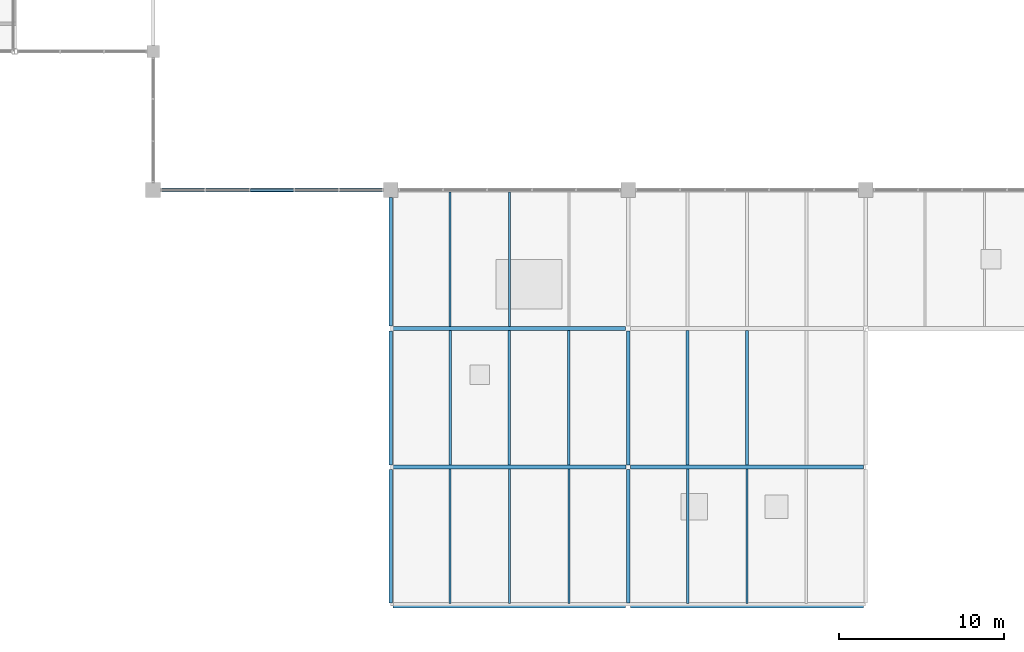
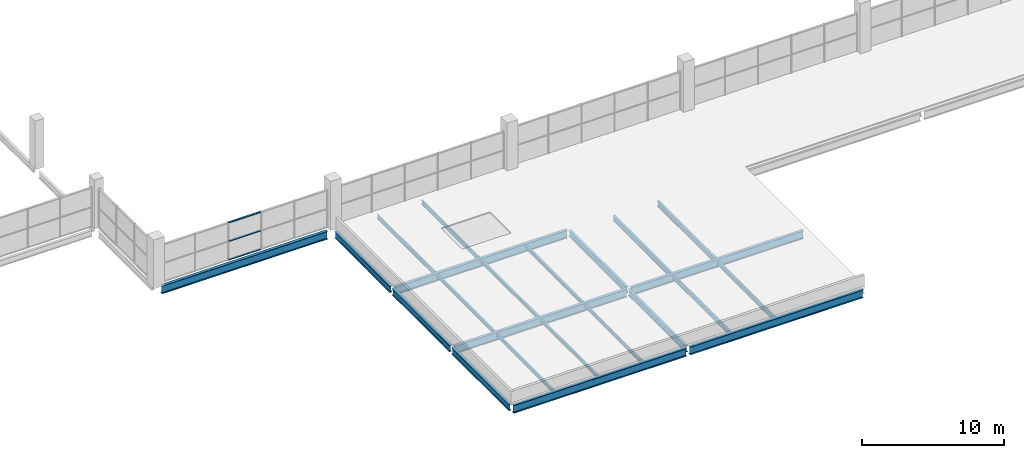
# One storey, part 11 of 93: 23 beams, 3 members, 1 element without a shape of its own.
"""IFC4 building model written with IfcOpenShell, lengths in metres."""

from ifc_helpers import new_model, si_unit, direction, frame, origin, origin_2d, place, context, subcontext, project, spatial, hollow_rectangle, i_section, extrude, material, material_profile, profile_set, type_object, element, aggregate, save


model = new_model("IFC4")

# Units and contexts
model_context = context("Model", 3, precision=1e-05, world=origin(), true_north=direction((0.0, 1.0)))
body_context = subcontext(model_context, "Body", "Model", "MODEL_VIEW")
ifc_project = project(units=[si_unit("LENGTHUNIT", "METRE"), si_unit("AREAUNIT", "SQUARE_METRE"), si_unit("VOLUMEUNIT", "CUBIC_METRE"), si_unit("PLANEANGLEUNIT", "RADIAN"), si_unit("MASSUNIT", "GRAM", prefix="KILO"), si_unit("THERMODYNAMICTEMPERATUREUNIT", "KELVIN")], contexts=[model_context])

# Site, building, storey
site_placement = place(None, origin())
site = spatial("IfcSite", under=ifc_project, at=site_placement, CompositionType="ELEMENT")
building_placement = place(site_placement, origin())
building = spatial("IfcBuilding", under=site, at=building_placement, Name="Nduvali Passage Aquatics Centre", CompositionType="ELEMENT")
storey_placement = place(building_placement, frame((0.0, 0.0, 9.0)))
storey = spatial("IfcBuildingStorey", under=building, at=storey_placement, Name="L02", CompositionType="ELEMENT", Elevation=9.0)

# Curtain wall, members
ifc_material_1 = material(Name="Aluminium EN AW-6063 T6", Category="aluminium")
curtain_wall_type = type_object("IfcCurtainWallType", Name="ENV-CW-CLER", PredefinedType="NOTDEFINED", material=ifc_material_1)
curtain_wall_placement = place(storey_placement, origin())
curtain_wall = element("IfcCurtainWall", 1, at=curtain_wall_placement, inside=storey, type_object=curtain_wall_type, Name="L02 South Pool Hall Corner Clerestory 045", PredefinedType="NOTDEFINED")
ifc_material_profile_1 = material_profile(ifc_material_1, hollow_rectangle(XDim=0.14990234375, YDim=0.06005859375, WallThickness=0.00390625, at=origin_2d()), Name="ALU TRANSOM 150x60x4")
ifc_profile_set_1 = profile_set([ifc_material_profile_1], Name="Aluminium EN AW-6063 T6")
member_type = type_object("IfcMemberType", Name="ENV-MEM-TRN80", PredefinedType="USERDEFINED", material=ifc_profile_set_1)
member_1_placement = place(storey_placement, frame((31.080078125, 25.199951171875, 0.030029296875), z_axis=(1.0, 0.0, 0.0), x_axis=(0.0, 1.0, 0.0)))
member_1 = element("IfcMember", 2, at=member_1_placement, type_object=member_type, Name="South Pool Hall Corner Clerestory Transom B3-R0", ObjectType="TRANSOM", PredefinedType="USERDEFINED", context=body_context, shape_type="SweptSolid", body=[
    extrude(hollow_rectangle(XDim=0.14990234375, YDim=0.06005859375, WallThickness=0.00390625, at=origin_2d()), origin(), (0.0, 0.0, 1.0), 2.639892578125),
])
member_2_placement = place(storey_placement, frame((31.080078125, 25.199951171875, 1.63134765625), z_axis=(1.0, 0.0, 0.0), x_axis=(0.0, 1.0, 0.0)))
member_2 = element("IfcMember", 3, at=member_2_placement, type_object=member_type, Name="South Pool Hall Corner Clerestory Transom B3-R1", ObjectType="TRANSOM", PredefinedType="USERDEFINED", context=body_context, shape_type="SweptSolid", body=[
    extrude(hollow_rectangle(XDim=0.14990234375, YDim=0.06005859375, WallThickness=0.00390625, at=origin_2d()), origin(), (0.0, 0.0, 1.0), 2.639892578125),
])
member_3_placement = place(storey_placement, frame((31.080078125, 25.199951171875, 3.232666015625), z_axis=(1.0, 0.0, 0.0), x_axis=(0.0, 1.0, 0.0)))
member_3 = element("IfcMember", 4, at=member_3_placement, type_object=member_type, Name="South Pool Hall Corner Clerestory Transom B3-R2", ObjectType="TRANSOM", PredefinedType="USERDEFINED", context=body_context, shape_type="SweptSolid", body=[
    extrude(hollow_rectangle(XDim=0.14990234375, YDim=0.06005859375, WallThickness=0.00390625, at=origin_2d()), origin(), (0.0, 0.0, 1.0), 2.639892578125),
])
aggregate(curtain_wall, [member_1, member_2, member_3])

# Beams
ifc_material_2 = material(Name="Steel S355", Category="steel")
ifc_material_profile_2 = material_profile(ifc_material_2, i_section(OverallWidth=0.210693359375, OverallDepth=0.53955078125, WebThickness=0.01171875, FlangeThickness=0.018798828125, FilletRadius=0.0126953125, at=origin_2d()), Name="UKB 533x210x109")
ifc_profile_set_2 = profile_set([ifc_material_profile_2], Name="Steel S355")
beam_type_1 = type_object("IfcBeamType", Name="STR-BM-UKB533", PredefinedType="BEAM", material=ifc_profile_set_2)
beam_1_placement = place(storey_placement, frame((54.0, 0.14990234375, -0.493896484375), z_axis=(0.0, 1.0, 0.0), x_axis=(-1.0, 0.0, 0.0)))
element("IfcBeam", 5, at=beam_1_placement, inside=storey, type_object=beam_type_1, Name="L02 Primary Y-Girder B6-0974", PredefinedType="BEAM", context=body_context, shape_type="SweptSolid", body=[
    extrude(i_section(OverallWidth=0.210693359375, OverallDepth=0.53955078125, WebThickness=0.01171875, FlangeThickness=0.018798828125, FilletRadius=0.0126953125, at=origin_2d()), origin(), (0.0, 0.0, 1.0), 8.110107421875),
])
beam_2_placement = place(storey_placement, frame((54.0, 8.5400390625, -0.493896484375), z_axis=(0.0, 1.0, 0.0), x_axis=(-1.0, 0.0, 0.0)))
element("IfcBeam", 6, at=beam_2_placement, inside=storey, type_object=beam_type_1, Name="L02 Primary Y-Girder B6-0975", PredefinedType="BEAM", context=body_context, shape_type="SweptSolid", body=[
    extrude(i_section(OverallWidth=0.210693359375, OverallDepth=0.53955078125, WebThickness=0.01171875, FlangeThickness=0.018798828125, FilletRadius=0.0126953125, at=origin_2d()), origin(), (0.0, 0.0, 1.0), 8.10986328125),
])
ifc_material_profile_3 = material_profile(ifc_material_2, i_section(OverallWidth=0.210693359375, OverallDepth=0.53955078125, WebThickness=0.01171875, FlangeThickness=0.018798828125, FilletRadius=0.0126953125, at=origin_2d()), Name="UKB 533x210x109")
ifc_profile_set_3 = profile_set([ifc_material_profile_3], Name="Steel S355")
beam_type_2 = type_object("IfcBeamType", Name="STR-BM-UKB533-EXT", PredefinedType="BEAM", material=ifc_profile_set_3)
beam_3_placement = place(storey_placement, frame((39.60009765625, 0.14990234375, -0.493896484375), z_axis=(0.0, 1.0, 0.0), x_axis=(-1.0, 0.0, 0.0)))
element("IfcBeam", 7, at=beam_3_placement, inside=storey, type_object=beam_type_2, Name="L02 Primary Y-Girder B6E-0968", PredefinedType="BEAM", context=body_context, shape_type="SweptSolid", body=[
    extrude(i_section(OverallWidth=0.210693359375, OverallDepth=0.53955078125, WebThickness=0.01171875, FlangeThickness=0.018798828125, FilletRadius=0.0126953125, at=origin_2d()), origin(), (0.0, 0.0, 1.0), 8.110107421875),
])
beam_4_placement = place(storey_placement, frame((39.60009765625, 8.5400390625, -0.493896484375), z_axis=(0.0, 1.0, 0.0), x_axis=(-1.0, 0.0, 0.0)))
element("IfcBeam", 8, at=beam_4_placement, inside=storey, type_object=beam_type_2, Name="L02 Primary Y-Girder B6E-0969", PredefinedType="BEAM", context=body_context, shape_type="SweptSolid", body=[
    extrude(i_section(OverallWidth=0.210693359375, OverallDepth=0.53955078125, WebThickness=0.01171875, FlangeThickness=0.018798828125, FilletRadius=0.0126953125, at=origin_2d()), origin(), (0.0, 0.0, 1.0), 8.10986328125),
])
beam_5_placement = place(storey_placement, frame((39.60009765625, 16.949951171875, -0.493896484375), z_axis=(0.0, 1.0, 0.0), x_axis=(-1.0, 0.0, 0.0)))
element("IfcBeam", 9, at=beam_5_placement, inside=storey, type_object=beam_type_2, Name="L02 Primary Y-Girder B6E-0970", PredefinedType="BEAM", context=body_context, shape_type="SweptSolid", body=[
    extrude(i_section(OverallWidth=0.210693359375, OverallDepth=0.53955078125, WebThickness=0.01171875, FlangeThickness=0.018798828125, FilletRadius=0.0126953125, at=origin_2d()), origin(), (0.0, 0.0, 1.0), 7.800048828125),
])
ifc_material_profile_4 = material_profile(ifc_material_2, i_section(OverallWidth=0.253662109375, OverallDepth=0.68359375, WebThickness=0.012451171875, FlangeThickness=0.01904296875, FilletRadius=0.01513671875, at=origin_2d()), Name="UKB 686x254x140")
ifc_profile_set_4 = profile_set([ifc_material_profile_4], Name="Steel S355")
beam_type_3 = type_object("IfcBeamType", Name="STR-BM-UKB686", PredefinedType="BEAM", material=ifc_profile_set_4)
for number, where, z_axis, x_axis, name in (
    (10, (39.739990234375, 8.39990234375, -0.565673828125), (1.0, 0.0, 0.0), (0.0, 1.0, 0.0), "L02 Primary X-Girder B4-0864"),
    (11, (54.139892578125, 8.39990234375, -0.565673828125), (1.0, 0.0, 0.0), (0.0, 1.0, 0.0), "L02 Primary X-Girder B4-0865"),
):
    element("IfcBeam", number, at=place(storey_placement, frame(where, z_axis=z_axis, x_axis=x_axis)), inside=storey, type_object=beam_type_3, Name=name, PredefinedType="BEAM", context=body_context, shape_type="SweptSolid", body=[
        extrude(i_section(OverallWidth=0.253662109375, OverallDepth=0.68359375, WebThickness=0.012451171875, FlangeThickness=0.01904296875, FilletRadius=0.01513671875, at=origin_2d()), origin(), (0.0, 0.0, 1.0), 14.1201171875),
    ])
beam_6_placement = place(storey_placement, frame((39.75, 16.800048828125, -0.565673828125), z_axis=(1.0, 0.0, 0.0), x_axis=(0.0, 1.0, 0.0)))
element("IfcBeam", 12, at=beam_6_placement, inside=storey, type_object=beam_type_3, Name="L02 Primary X-Girder B4-0868", PredefinedType="BEAM", context=body_context, shape_type="SweptSolid", body=[
    extrude(i_section(OverallWidth=0.253662109375, OverallDepth=0.68359375, WebThickness=0.012451171875, FlangeThickness=0.01904296875, FilletRadius=0.01513671875, at=origin_2d()), origin(), (0.0, 0.0, 1.0), 14.10009765625),
])
ifc_material_profile_5 = material_profile(ifc_material_2, i_section(OverallWidth=0.253662109375, OverallDepth=0.68359375, WebThickness=0.012451171875, FlangeThickness=0.01904296875, FilletRadius=0.01513671875, at=origin_2d()), Name="UKB 686x254x140")
ifc_profile_set_5 = profile_set([ifc_material_profile_5], Name="Steel S355")
beam_type_4 = type_object("IfcBeamType", Name="STR-BM-UKB686-EXT", PredefinedType="BEAM", material=ifc_profile_set_5)
for number, where, z_axis, x_axis, name in (
    (13, (39.75, 0.0, -0.565673828125), (1.0, 0.0, 0.0), (0.0, 1.0, 0.0), "L02 Primary X-Girder B4E-0860"),
    (14, (54.14990234375, 0.0, -0.565673828125), (1.0, 0.0, 0.0), (0.0, 1.0, 0.0), "L02 Primary X-Girder B4E-0861"),
):
    element("IfcBeam", number, at=place(storey_placement, frame(where, z_axis=z_axis, x_axis=x_axis)), inside=storey, type_object=beam_type_4, Name=name, PredefinedType="BEAM", context=body_context, shape_type="SweptSolid", body=[
        extrude(i_section(OverallWidth=0.253662109375, OverallDepth=0.68359375, WebThickness=0.012451171875, FlangeThickness=0.01904296875, FilletRadius=0.01513671875, at=origin_2d()), origin(), (0.0, 0.0, 1.0), 14.10009765625),
    ])
beam_7_placement = place(storey_placement, frame((25.64990234375, 25.199951171875, -0.605712890625), z_axis=(1.0, 0.0, 0.0), x_axis=(0.0, 1.0, 0.0)))
element("IfcBeam", 15, at=beam_7_placement, inside=storey, type_object=beam_type_4, Name="L02 Primary X-Girder B4E-0874", PredefinedType="BEAM", context=body_context, shape_type="SweptSolid", body=[
    extrude(i_section(OverallWidth=0.253662109375, OverallDepth=0.68359375, WebThickness=0.012451171875, FlangeThickness=0.01904296875, FilletRadius=0.01513671875, at=origin_2d()), origin(), (0.0, 0.0, 1.0), 13.5),
])
ifc_material_profile_6 = material_profile(ifc_material_2, i_section(OverallWidth=0.14990234375, OverallDepth=0.300048828125, WebThickness=0.007080078125, FlangeThickness=0.0107421875, FilletRadius=0.014892578125, at=origin_2d()), Name="IPE 300")
ifc_profile_set_6 = profile_set([ifc_material_profile_6], Name="Steel S355")
beam_type_5 = type_object("IfcBeamType", Name="STR-JST-IPE300", PredefinedType="JOIST", material=ifc_profile_set_6)
for number, where, z_axis, x_axis, name in (
    (16, (43.199951171875, 8.52685546875, -0.3740234375), (0.0, 1.0, 0.0), (-1.0, 0.0, 0.0), "L02 Secondary Joist J7-1065"),
    (17, (46.800048828125, 8.52685546875, -0.3740234375), (0.0, 1.0, 0.0), (-1.0, 0.0, 0.0), "L02 Secondary Joist J7-1066"),
    (18, (50.39990234375, 8.52685546875, -0.3740234375), (0.0, 1.0, 0.0), (-1.0, 0.0, 0.0), "L02 Secondary Joist J7-1067"),
):
    element("IfcBeam", number, at=place(storey_placement, frame(where, z_axis=z_axis, x_axis=x_axis)), inside=storey, type_object=beam_type_5, Name=name, PredefinedType="JOIST", context=body_context, shape_type="SweptSolid", body=[
        extrude(i_section(OverallWidth=0.14990234375, OverallDepth=0.300048828125, WebThickness=0.007080078125, FlangeThickness=0.0107421875, FilletRadius=0.014892578125, at=origin_2d()), origin(), (0.0, 0.0, 1.0), 8.146240234375),
    ])
ifc_material_profile_7 = material_profile(ifc_material_2, i_section(OverallWidth=0.18994140625, OverallDepth=0.449951171875, WebThickness=0.009521484375, FlangeThickness=0.0146484375, FilletRadius=0.02099609375, at=origin_2d()), Name="IPE 450")
ifc_profile_set_7 = profile_set([ifc_material_profile_7], Name="Steel S355")
beam_type_6 = type_object("IfcBeamType", Name="STR-JST-IPE450", PredefinedType="JOIST", material=ifc_profile_set_7)
for number, where, z_axis, x_axis, name in (
    (19, (57.60009765625, 8.52685546875, -0.448974609375), (0.0, 1.0, 0.0), (-1.0, 0.0, 0.0), "L02 Secondary Joist J5B-1068"),
    (20, (61.199951171875, 8.52685546875, -0.448974609375), (0.0, 1.0, 0.0), (-1.0, 0.0, 0.0), "L02 Secondary Joist J5B-1069"),
):
    element("IfcBeam", number, at=place(storey_placement, frame(where, z_axis=z_axis, x_axis=x_axis)), inside=storey, type_object=beam_type_6, Name=name, PredefinedType="JOIST", context=body_context, shape_type="SweptSolid", body=[
        extrude(i_section(OverallWidth=0.18994140625, OverallDepth=0.449951171875, WebThickness=0.009521484375, FlangeThickness=0.0146484375, FilletRadius=0.02099609375, at=origin_2d()), origin(), (0.0, 0.0, 1.0), 8.146240234375),
    ])
ifc_material_profile_8 = material_profile(ifc_material_2, i_section(OverallWidth=0.124267578125, OverallDepth=0.30712890625, WebThickness=0.008056640625, FlangeThickness=0.01220703125, FilletRadius=0.0087890625, at=origin_2d()), Name="UKB 305x127x42")
ifc_profile_set_8 = profile_set([ifc_material_profile_8], Name="Steel S355")
beam_type_7 = type_object("IfcBeamType", Name="STR-JST-UKB305L", PredefinedType="JOIST", material=ifc_profile_set_8)
for number, where, z_axis, x_axis, name in (
    (21, (43.199951171875, 0.126708984375, -0.377685546875), (0.0, 1.0, 0.0), (-1.0, 0.0, 0.0), "L02 Secondary Joist J3A-1053"),
    (22, (46.800048828125, 0.126708984375, -0.377685546875), (0.0, 1.0, 0.0), (-1.0, 0.0, 0.0), "L02 Secondary Joist J3A-1054"),
    (23, (50.39990234375, 0.126708984375, -0.377685546875), (0.0, 1.0, 0.0), (-1.0, 0.0, 0.0), "L02 Secondary Joist J3A-1055"),
):
    element("IfcBeam", number, at=place(storey_placement, frame(where, z_axis=z_axis, x_axis=x_axis)), inside=storey, type_object=beam_type_7, Name=name, PredefinedType="JOIST", context=body_context, shape_type="SweptSolid", body=[
        extrude(i_section(OverallWidth=0.124267578125, OverallDepth=0.30712890625, WebThickness=0.008056640625, FlangeThickness=0.01220703125, FilletRadius=0.0087890625, at=origin_2d()), origin(), (0.0, 0.0, 1.0), 8.146484375),
    ])
ifc_material_profile_9 = material_profile(ifc_material_2, i_section(OverallWidth=0.1259765625, OverallDepth=0.353515625, WebThickness=0.006591796875, FlangeThickness=0.0107421875, FilletRadius=0.01025390625, at=origin_2d()), Name="UKB 356x127x39")
ifc_profile_set_9 = profile_set([ifc_material_profile_9], Name="Steel S355")
beam_type_8 = type_object("IfcBeamType", Name="STR-JST-UKB356L", PredefinedType="JOIST", material=ifc_profile_set_9)
for number, where, z_axis, x_axis, name in (
    (24, (43.199951171875, 16.9267578125, -0.400634765625), (0.0, 1.0, 0.0), (-1.0, 0.0, 0.0), "L02 Secondary Joist J2A-1077"),
    (25, (46.800048828125, 16.9267578125, -0.400634765625), (0.0, 1.0, 0.0), (-1.0, 0.0, 0.0), "L02 Secondary Joist J2A-1078"),
):
    element("IfcBeam", number, at=place(storey_placement, frame(where, z_axis=z_axis, x_axis=x_axis)), inside=storey, type_object=beam_type_8, Name=name, PredefinedType="JOIST", context=body_context, shape_type="SweptSolid", body=[
        extrude(i_section(OverallWidth=0.1259765625, OverallDepth=0.353515625, WebThickness=0.006591796875, FlangeThickness=0.0107421875, FilletRadius=0.01025390625, at=origin_2d()), origin(), (0.0, 0.0, 1.0), 8.146484375),
    ])
ifc_material_profile_10 = material_profile(ifc_material_2, i_section(OverallWidth=0.14208984375, OverallDepth=0.4033203125, WebThickness=0.0068359375, FlangeThickness=0.01123046875, FilletRadius=0.01025390625, at=origin_2d()), Name="UKB 406x140x46")
ifc_profile_set_10 = profile_set([ifc_material_profile_10], Name="Steel S355")
beam_type_9 = type_object("IfcBeamType", Name="STR-JST-UKB406L", PredefinedType="JOIST", material=ifc_profile_set_10)
for number, where, z_axis, x_axis, name in (
    (26, (57.60009765625, 0.126708984375, -0.425537109375), (0.0, 1.0, 0.0), (-1.0, 0.0, 0.0), "L02 Secondary Joist J1B-1056"),
    (27, (61.199951171875, 0.126708984375, -0.425537109375), (0.0, 1.0, 0.0), (-1.0, 0.0, 0.0), "L02 Secondary Joist J1B-1057"),
):
    element("IfcBeam", number, at=place(storey_placement, frame(where, z_axis=z_axis, x_axis=x_axis)), inside=storey, type_object=beam_type_9, Name=name, PredefinedType="JOIST", context=body_context, shape_type="SweptSolid", body=[
        extrude(i_section(OverallWidth=0.14208984375, OverallDepth=0.4033203125, WebThickness=0.0068359375, FlangeThickness=0.01123046875, FilletRadius=0.01025390625, at=origin_2d()), origin(), (0.0, 0.0, 1.0), 8.146484375),
    ])

save(model, "model.ifc")
